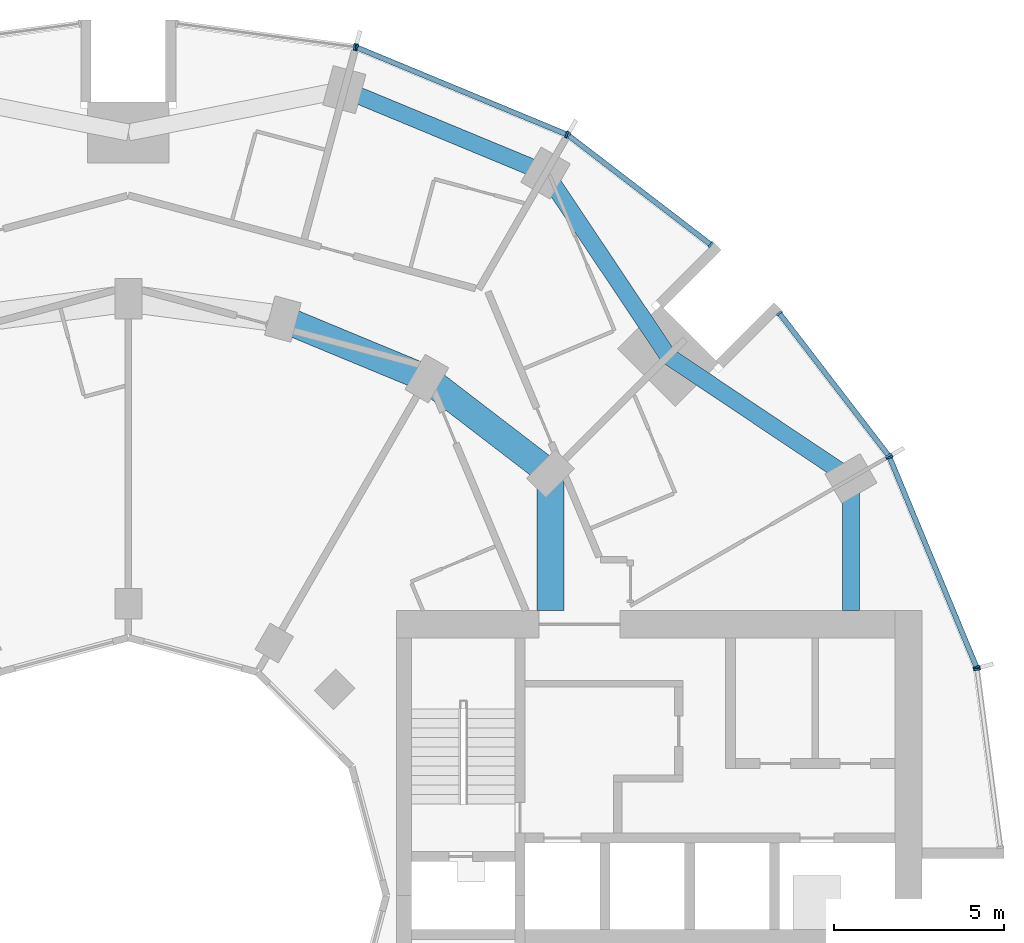
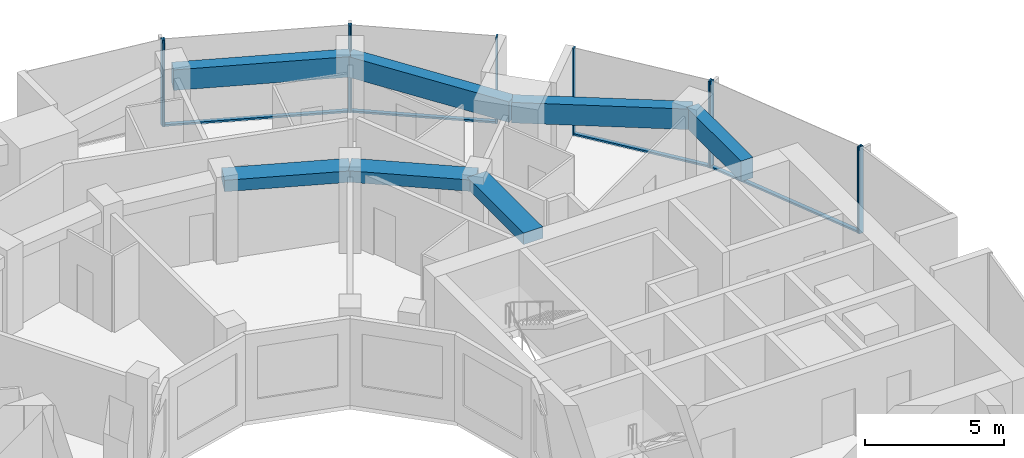
# One storey, part 6 of 15: 14 members, 7 beams, 6 elements without a shape of their own.
"""IFC4 building model written with IfcOpenShell, lengths in metres."""

from ifc_helpers import new_model, si_unit, direction, frame, origin, origin_2d, place, context, subcontext, project, spatial, rectangle, extrude, material, layer, layer_set, material_profile, profile_set, type_object, element, aggregate, save


model = new_model("IFC4")

# Units and contexts
model_context = context("Model", 3, precision=1e-05, world=origin(), true_north=direction((0.0, 1.0)))
body_context = subcontext(model_context, "Body", "Model", "MODEL_VIEW")
ifc_project = project(units=[si_unit("LENGTHUNIT", "METRE"), si_unit("AREAUNIT", "SQUARE_METRE"), si_unit("VOLUMEUNIT", "CUBIC_METRE"), si_unit("PLANEANGLEUNIT", "RADIAN"), si_unit("MASSUNIT", "GRAM", prefix="KILO")], contexts=[model_context])

# Site, building, storey
site_placement = place(None, origin())
site = spatial("IfcSite", under=ifc_project, at=site_placement, CompositionType="ELEMENT")
building_placement = place(site_placement, origin())
building = spatial("IfcBuilding", under=site, at=building_placement, Name="Torre Brocal", CompositionType="ELEMENT")
storey_placement = place(building_placement, frame((0.0, 0.0, 90.0)))
storey = spatial("IfcBuildingStorey", under=building, at=storey_placement, Name="L20", CompositionType="ELEMENT", Elevation=90.0)

# Curtain wall, members
ifc_material_1 = material(Name="Aluminium and glass", Category="aluminium")
ifc_layer_1 = layer(ifc_material_1, 0.199951171875)
ifc_layer_set_1 = layer_set([ifc_layer_1], Name="Aluminium and glass")
curtain_wall_type_1 = type_object("IfcCurtainWallType", Name="CW-1 CURTAIN WALL 3800 HIGH", PredefinedType="NOTDEFINED", material=ifc_layer_set_1)
curtain_wall_1_placement = place(storey_placement, origin())
curtain_wall_1 = element("IfcCurtainWall", 1, at=curtain_wall_1_placement, inside=storey, type_object=curtain_wall_type_1, Name="CW-1 RUN 2", PredefinedType="NOTDEFINED")
ifc_material_2 = material(Name="Aluminium, dark anodised", Category="aluminium")
ifc_material_profile_1 = material_profile(ifc_material_2, rectangle(XDim=0.199951171875, YDim=0.06005859375, at=origin_2d()), Name="CW-1 MULLION 60X200")
ifc_profile_set_1 = profile_set([ifc_material_profile_1], Name="Aluminium, dark anodised")
member_type_1 = type_object("IfcMemberType", Name="CW-1 MULLION 60X200", PredefinedType="MULLION", material=ifc_profile_set_1)
member_1_placement = place(storey_placement, frame((105.005126953125, 81.73095703125, 0.0), z_axis=(0.0, 0.0, 1.0), x_axis=(-0.923879532525, -0.382683432333, 0.0)))
member_1 = element("IfcMember", 2, at=member_1_placement, type_object=member_type_1, Name="CW1-1 mullion 1", PredefinedType="MULLION", context=body_context, shape_type="SweptSolid", body=[
    extrude(rectangle(XDim=0.199951171875, YDim=0.06005859375, at=origin_2d()), origin(), (0.0, 0.0, 1.0), 3.800048828125),
])
member_2_placement = place(storey_placement, frame((102.440673828125, 87.921875, 0.0), z_axis=(0.0, 0.0, 1.0), x_axis=(-0.923879532525, -0.382683432333, 0.0)))
member_2 = element("IfcMember", 3, at=member_2_placement, type_object=member_type_1, Name="CW1-1 mullion 2", PredefinedType="MULLION", context=body_context, shape_type="SweptSolid", body=[
    extrude(rectangle(XDim=0.199951171875, YDim=0.06005859375, at=origin_2d()), origin(), (0.0, 0.0, 1.0), 3.800048828125),
])

curtain_wall_2_placement = place(storey_placement, origin())
curtain_wall_2 = element("IfcCurtainWall", 4, at=curtain_wall_2_placement, inside=storey, type_object=curtain_wall_type_1, Name="CW-1 RUN 3", PredefinedType="NOTDEFINED")
member_3_placement = place(storey_placement, frame((102.4111328125, 87.973388671875, 0.0), z_axis=(0.0, 0.0, 1.0), x_axis=(-0.793353340259, -0.60876142905, 0.0)))
member_3 = element("IfcMember", 5, at=member_3_placement, type_object=member_type_1, Name="CW1-1 mullion 1", PredefinedType="MULLION", context=body_context, shape_type="SweptSolid", body=[
    extrude(rectangle(XDim=0.199951171875, YDim=0.06005859375, at=origin_2d()), origin(), (0.0, 0.0, 1.0), 3.800048828125),
])
member_4_placement = place(storey_placement, frame((99.19140625, 92.16943359375, 0.0), z_axis=(0.0, 0.0, 1.0), x_axis=(-0.793353340259, -0.60876142905, 0.0)))
member_4 = element("IfcMember", 6, at=member_4_placement, type_object=member_type_1, Name="CW1-1 mullion 2", PredefinedType="MULLION", context=body_context, shape_type="SweptSolid", body=[
    extrude(rectangle(XDim=0.199951171875, YDim=0.06005859375, at=origin_2d()), origin(), (0.0, 0.0, 1.0), 3.800048828125),
])

curtain_wall_3_placement = place(storey_placement, origin())
curtain_wall_3 = element("IfcCurtainWall", 7, at=curtain_wall_3_placement, inside=storey, type_object=curtain_wall_type_1, Name="CW-1 RUN 4", PredefinedType="NOTDEFINED")
member_5_placement = place(storey_placement, frame((97.16943359375, 94.19140625, 0.0), z_axis=(0.0, 0.0, 1.0), x_axis=(-0.60876142905, -0.793353340259, 0.0)))
member_5 = element("IfcMember", 8, at=member_5_placement, type_object=member_type_1, Name="CW1-1 mullion 1", PredefinedType="MULLION", context=body_context, shape_type="SweptSolid", body=[
    extrude(rectangle(XDim=0.199951171875, YDim=0.06005859375, at=origin_2d()), origin(), (0.0, 0.0, 1.0), 3.800048828125),
])
member_6_placement = place(storey_placement, frame((92.973388671875, 97.4111328125, 0.0), z_axis=(0.0, 0.0, 1.0), x_axis=(-0.60876142905, -0.793353340259, 0.0)))
member_6 = element("IfcMember", 9, at=member_6_placement, type_object=member_type_1, Name="CW1-1 mullion 2", PredefinedType="MULLION", context=body_context, shape_type="SweptSolid", body=[
    extrude(rectangle(XDim=0.199951171875, YDim=0.06005859375, at=origin_2d()), origin(), (0.0, 0.0, 1.0), 3.800048828125),
])

curtain_wall_4_placement = place(storey_placement, origin())
curtain_wall_4 = element("IfcCurtainWall", 10, at=curtain_wall_4_placement, inside=storey, type_object=curtain_wall_type_1, Name="CW-1 RUN 5", PredefinedType="NOTDEFINED")
member_7_placement = place(storey_placement, frame((92.921875, 97.440673828125, 0.0), z_axis=(0.0, 0.0, 1.0), x_axis=(-0.382683432333, -0.923879532525, 0.0)))
member_7 = element("IfcMember", 11, at=member_7_placement, type_object=member_type_1, Name="CW1-1 mullion 1", PredefinedType="MULLION", context=body_context, shape_type="SweptSolid", body=[
    extrude(rectangle(XDim=0.199951171875, YDim=0.06005859375, at=origin_2d()), origin(), (0.0, 0.0, 1.0), 3.800048828125),
])
member_8_placement = place(storey_placement, frame((86.73095703125, 100.005126953125, 0.0), z_axis=(0.0, 0.0, 1.0), x_axis=(-0.382683432333, -0.923879532525, 0.0)))
member_8 = element("IfcMember", 12, at=member_8_placement, type_object=member_type_1, Name="CW1-1 mullion 2", PredefinedType="MULLION", context=body_context, shape_type="SweptSolid", body=[
    extrude(rectangle(XDim=0.199951171875, YDim=0.06005859375, at=origin_2d()), origin(), (0.0, 0.0, 1.0), 3.800048828125),
])

# Curtain wall, member
curtain_wall_5_placement = place(storey_placement, origin())
curtain_wall_5 = element("IfcCurtainWall", 13, at=curtain_wall_5_placement, inside=storey, type_object=curtain_wall_type_1, Name="CW-1 RUN 6", PredefinedType="NOTDEFINED")
member_9_placement = place(storey_placement, frame((86.67333984375, 100.0205078125, 0.0), z_axis=(0.0, 0.0, 1.0), x_axis=(-0.13052619222, -0.991444861374, 0.0)))
member_9 = element("IfcMember", 14, at=member_9_placement, type_object=member_type_1, Name="CW1-1 mullion 1", PredefinedType="MULLION", context=body_context, shape_type="SweptSolid", body=[
    extrude(rectangle(XDim=0.199951171875, YDim=0.06005859375, at=origin_2d()), origin(), (0.0, 0.0, 1.0), 3.800048828125),
])
aggregate(curtain_wall_5, [member_9])

# Member
ifc_material_3 = material(Name="Aluminium, dark anodised", Category="aluminium")
ifc_material_profile_2 = material_profile(ifc_material_3, rectangle(XDim=0.159912109375, YDim=0.080078125, at=origin_2d()), Name="CW-1 TRANSOM 160X80")
ifc_profile_set_2 = profile_set([ifc_material_profile_2], Name="Aluminium, dark anodised")
member_type_2 = type_object("IfcMemberType", Name="CW-1 TRANSOM 160X80", PredefinedType="USERDEFINED", material=ifc_profile_set_2)
member_10_placement = place(storey_placement, frame((104.99365234375, 81.758544921875, 0.0400390625), z_axis=(-0.38266457234, 0.923887344364, 0.0), x_axis=(-0.923887344364, -0.38266457234, 0.0)))
member_10 = element("IfcMember", 15, at=member_10_placement, type_object=member_type_2, Name="CW1-1 transom 1.1", ObjectType="TRANSOM", PredefinedType="USERDEFINED", context=body_context, shape_type="SweptSolid", body=[
    extrude(rectangle(XDim=0.159912109375, YDim=0.080078125, at=origin_2d()), origin(), (0.0, 0.0, 1.0), 6.640869140625),
])

aggregate(curtain_wall_1, [member_1, member_2, member_10])

member_11_placement = place(storey_placement, frame((102.392822265625, 87.9970703125, 0.0400390625), z_axis=(-0.60874908096, 0.79336281513, 0.0), x_axis=(-0.79336281513, -0.60874908096, 0.0)))
member_11 = element("IfcMember", 16, at=member_11_placement, type_object=member_type_2, Name="CW1-1 transom 1.1", ObjectType="TRANSOM", PredefinedType="USERDEFINED", context=body_context, shape_type="SweptSolid", body=[
    extrude(rectangle(XDim=0.159912109375, YDim=0.080078125, at=origin_2d()), origin(), (0.0, 0.0, 1.0), 5.22900390625),
])

aggregate(curtain_wall_2, [member_3, member_4, member_11])

member_12_placement = place(storey_placement, frame((97.1455078125, 94.209716796875, 0.0400390625), z_axis=(-0.79336281513, 0.60874908096, 0.0), x_axis=(-0.60874908096, -0.79336281513, 0.0)))
member_12 = element("IfcMember", 17, at=member_12_placement, type_object=member_type_2, Name="CW1-1 transom 1.1", ObjectType="TRANSOM", PredefinedType="USERDEFINED", context=body_context, shape_type="SweptSolid", body=[
    extrude(rectangle(XDim=0.159912109375, YDim=0.080078125, at=origin_2d()), origin(), (0.0, 0.0, 1.0), 5.22900390625),
])

aggregate(curtain_wall_3, [member_5, member_6, member_12])

member_13_placement = place(storey_placement, frame((92.89404296875, 97.452392578125, 0.0400390625), z_axis=(-0.923887344364, 0.38266457234, 0.0), x_axis=(-0.38266457234, -0.923887344364, 0.0)))
member_13 = element("IfcMember", 18, at=member_13_placement, type_object=member_type_2, Name="CW1-1 transom 1.1", ObjectType="TRANSOM", PredefinedType="USERDEFINED", context=body_context, shape_type="SweptSolid", body=[
    extrude(rectangle(XDim=0.159912109375, YDim=0.080078125, at=origin_2d()), origin(), (0.0, 0.0, 1.0), 6.640869140625),
])

aggregate(curtain_wall_4, [member_7, member_8, member_13])

# Curtain wall, member
ifc_material_4 = material(Name="Aluminium and glass", Category="aluminium")
ifc_layer_2 = layer(ifc_material_4, 0.199951171875)
ifc_layer_set_2 = layer_set([ifc_layer_2], Name="Aluminium and glass")
curtain_wall_type_2 = type_object("IfcCurtainWallType", Name="CW-1B CURTAIN WALL 3800 HIGH", PredefinedType="NOTDEFINED", material=ifc_layer_set_2)
curtain_wall_6_placement = place(storey_placement, origin())
curtain_wall_6 = element("IfcCurtainWall", 19, at=curtain_wall_6_placement, inside=storey, type_object=curtain_wall_type_2, Name="CW-1B RUN 1", PredefinedType="NOTDEFINED")
ifc_material_5 = material(Name="Aluminium, dark anodised", Category="aluminium")
ifc_material_profile_3 = material_profile(ifc_material_5, rectangle(XDim=0.199951171875, YDim=0.06005859375, at=origin_2d()), Name="CW-1B MULLION 60X200")
ifc_profile_set_3 = profile_set([ifc_material_profile_3], Name="Aluminium, dark anodised")
member_type_3 = type_object("IfcMemberType", Name="CW-1B MULLION 60X200", PredefinedType="MULLION", material=ifc_profile_set_3)
member_14_placement = place(storey_placement, frame((105.0205078125, 81.67333984375, 0.0), z_axis=(0.0, 0.0, 1.0), x_axis=(-0.991444861374, -0.13052619222, 0.0)))
member_14 = element("IfcMember", 20, at=member_14_placement, type_object=member_type_3, Name="CW1B-1 mullion 2", PredefinedType="MULLION", context=body_context, shape_type="SweptSolid", body=[
    extrude(rectangle(XDim=0.199951171875, YDim=0.06005859375, at=origin_2d()), origin(), (0.0, 0.0, 1.0), 3.800048828125),
])
aggregate(curtain_wall_6, [member_14])

# Beams
ifc_material_6 = material(Name="Concrete C50", Category="concrete")
ifc_material_profile_4 = material_profile(ifc_material_6, rectangle(XDim=0.800048828125, YDim=0.5, at=origin_2d()), Name="RC 800X500")
ifc_profile_set_4 = profile_set([ifc_material_profile_4], Name="Concrete C50")
beam_type_1 = type_object("IfcBeamType", Name="RC BEAM 800X500 C50 TOP 3480", PredefinedType="BEAM", material=ifc_profile_set_4)
beam_1_placement = place(storey_placement, frame((92.445068359375, 87.445068359375, 3.22998046875), z_axis=(-0.793358265959, 0.6087550097, 0.0), x_axis=(-0.6087550097, -0.793358265959, 0.0)))
element("IfcBeam", 21, at=beam_1_placement, inside=storey, type_object=beam_type_1, Name="Beam BT-19", PredefinedType="BEAM", context=body_context, shape_type="SweptSolid", body=[
    extrude(rectangle(XDim=0.800048828125, YDim=0.5, at=origin_2d()), origin(), (0.0, 0.0, 1.0), 4.594482421875),
])
beam_2_placement = place(storey_placement, frame((88.800048828125, 90.241943359375, 3.22998046875), z_axis=(-0.923878240166, 0.382686552348, 0.0), x_axis=(-0.382686552348, -0.923878240166, 0.0)))
element("IfcBeam", 22, at=beam_2_placement, inside=storey, type_object=beam_type_1, Name="Beam BT-19", PredefinedType="BEAM", context=body_context, shape_type="SweptSolid", body=[
    extrude(rectangle(XDim=0.800048828125, YDim=0.5, at=origin_2d()), origin(), (0.0, 0.0, 1.0), 4.5947265625),
])
beam_3_placement = place(storey_placement, frame((92.445068359375, 87.445068359375, 3.22998046875), z_axis=(0.0, -1.0, 0.0), x_axis=(1.0, 0.0, 0.0)))
element("IfcBeam", 23, at=beam_3_placement, inside=storey, type_object=beam_type_1, Name="Beam BT-19", PredefinedType="BEAM", context=body_context, shape_type="SweptSolid", body=[
    extrude(rectangle(XDim=0.800048828125, YDim=0.5, at=origin_2d()), origin(), (0.0, 0.0, 1.0), 4.045166015625),
])
ifc_material_7 = material(Name="Concrete C50", Category="concrete")
ifc_material_profile_5 = material_profile(ifc_material_7, rectangle(XDim=0.5, YDim=0.89990234375, at=origin_2d()), Name="RC 500X900")
ifc_profile_set_5 = profile_set([ifc_material_profile_5], Name="Concrete C50")
beam_type_2 = type_object("IfcBeamType", Name="RC SPANDREL BEAM 500X900 C50 TOP 3480", PredefinedType="SPANDREL", material=ifc_profile_set_5)
for number, where, z_axis, x_axis, name in (
    (24, (101.30419921875, 87.300048828125, 3.030029296875), (-0.831076844476, 0.556157602282, 0.0), (-0.556157602282, -0.831076844476, 0.0), "Beam BT-20"),
    (25, (95.909912109375, 90.909912109375, 3.030029296875), (-0.556157602282, 0.831076844476, 0.0), (-0.831076844476, -0.556157602282, 0.0), "Beam BT-20"),
):
    element("IfcBeam", number, at=place(storey_placement, frame(where, z_axis=z_axis, x_axis=x_axis)), inside=storey, type_object=beam_type_2, Name=name, PredefinedType="SPANDREL", context=body_context, shape_type="SweptSolid", body=[
        extrude(rectangle(XDim=0.5, YDim=0.89990234375, at=origin_2d()), origin(), (0.0, 0.0, 1.0), 6.49072265625),
    ])
beam_4_placement = place(storey_placement, frame((92.300048828125, 96.30419921875, 3.030029296875), z_axis=(-0.923882462513, 0.382676358639, 0.0), x_axis=(-0.382676358639, -0.923882462513, 0.0)))
element("IfcBeam", 26, at=beam_4_placement, inside=storey, type_object=beam_type_2, Name="Beam BT-20", PredefinedType="SPANDREL", context=body_context, shape_type="SweptSolid", body=[
    extrude(rectangle(XDim=0.5, YDim=0.89990234375, at=origin_2d()), origin(), (0.0, 0.0, 1.0), 6.421875),
])
beam_5_placement = place(storey_placement, frame((101.30419921875, 87.300048828125, 3.030029296875), z_axis=(0.0, -1.0, 0.0), x_axis=(1.0, 0.0, 0.0)))
element("IfcBeam", 27, at=beam_5_placement, inside=storey, type_object=beam_type_2, Name="Beam BT-20", PredefinedType="SPANDREL", context=body_context, shape_type="SweptSolid", body=[
    extrude(rectangle(XDim=0.5, YDim=0.89990234375, at=origin_2d()), origin(), (0.0, 0.0, 1.0), 3.900146484375),
])

save(model, "model.ifc")
